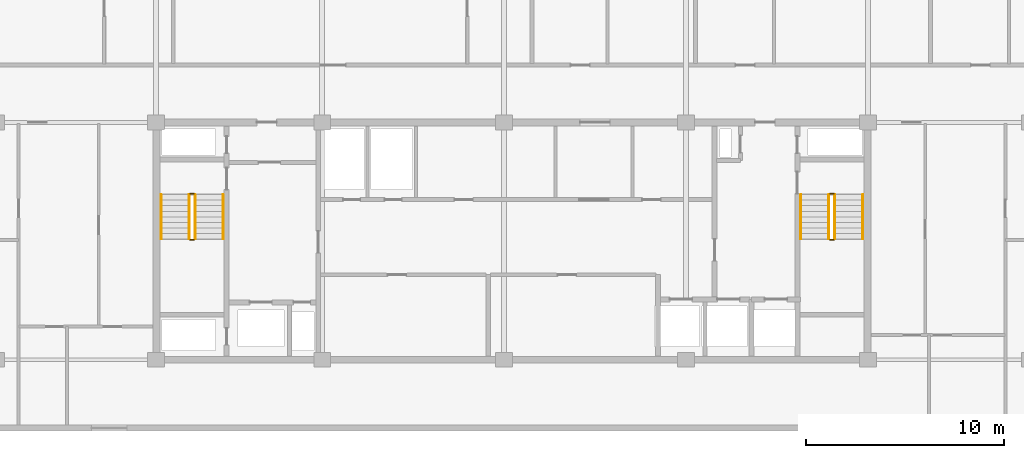
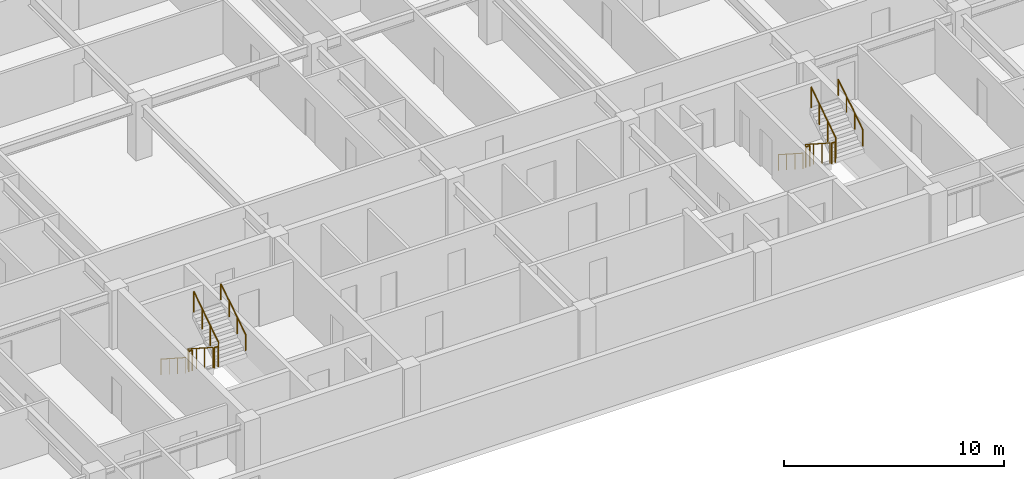
# One storey, part 20 of 21: 12 railings.
"""IFC4 building model written with IfcOpenShell, lengths in metres."""

import ifcopenshell
import ifcopenshell.guid

model = None  # the IFC model being written
_history = None  # IfcOwnerHistory: only IFC2X3 demands one
_inside = {}  # id of a spatial element -> (the spatial element, [elements in it])
_under = {}  # id of a project, library or spatial element -> (it, [spatial elements below it])
_declared = {}  # id of a project -> (the project, [libraries it declares])
_typed = {}  # id of a type object -> (the type object, [elements of that type])
_made_of = {}  # id of a material, layer set ... -> (it, [elements and type objects made of it])


def new_model(schema):
    """Start an empty IFC model of exactly this schema.

    Asked for "IFC4X3", IfcOpenShell would pick the latest addendum, in which some entities
    have other attributes; the version numbers below select the first issue.
    IFC2X3 requires an IfcOwnerHistory on every rooted entity: one is made here for all.
    """
    global model, _history
    if schema == "IFC4X3":
        model = ifcopenshell.file(schema_version=(4, 3, 0, 0))
    else:
        model = ifcopenshell.file(schema=schema)
    _inside.clear()
    _under.clear()
    _declared.clear()
    _typed.clear()
    _made_of.clear()
    _history = None
    if model.schema == "IFC2X3":
        org = make("IfcOrganization", Name="unknown")
        user = make(
            "IfcPersonAndOrganization",
            ThePerson=make("IfcPerson", FamilyName="unknown"),
            TheOrganization=org,
        )
        app = make(
            "IfcApplication",
            ApplicationDeveloper=org,
            Version="unknown",
            ApplicationFullName="unknown",
            ApplicationIdentifier="unknown",
        )
        _history = make(
            "IfcOwnerHistory",
            OwningUser=user,
            OwningApplication=app,
            ChangeAction="ADDED",
            CreationDate=0,
        )
    return model


def make(cls, **values):
    """One entity of the class cls with the attributes given. An attribute that is None is left unset."""
    return model.create_entity(
        cls, **{name: value for name, value in values.items() if value is not None}
    )


def rooted(cls, **values):
    """An entity with a GlobalId (a new one), such as an element, a storey or a relation."""
    return make(cls, GlobalId=ifcopenshell.guid.new(), OwnerHistory=_history, **values)


def si_unit(unit_type, name, prefix=None):
    """IfcSIUnit, for example si_unit("LENGTHUNIT", "METRE", prefix="MILLI")."""
    return make("IfcSIUnit", UnitType=unit_type, Prefix=prefix, Name=name)


def assignment(units):
    """IfcUnitAssignment: the units of a project."""
    return None if units is None else make("IfcUnitAssignment", Units=units)


def point(xyz):
    """IfcCartesianPoint."""
    return None if xyz is None else make("IfcCartesianPoint", Coordinates=xyz)


def direction(xyz):
    """IfcDirection."""
    return None if xyz is None else make("IfcDirection", DirectionRatios=xyz)


def frame(location, z_axis=None, x_axis=None):
    """IfcAxis2Placement3D, a coordinate frame: its origin and axes. An axis left out is left unset."""
    return make(
        "IfcAxis2Placement3D",
        Location=point(location),
        Axis=direction(z_axis),
        RefDirection=direction(x_axis),
    )


def frame_2d(location, x_axis=None):
    """IfcAxis2Placement2D, a coordinate frame in the plane: its origin and x axis."""
    return make(
        "IfcAxis2Placement2D", Location=point(location), RefDirection=direction(x_axis)
    )


def origin():
    """The frame at (0, 0, 0) with its axes left unset."""
    return frame((0.0, 0.0, 0.0))


def origin_2d():
    """The frame at (0, 0) in the plane with its x axis left unset."""
    return frame_2d((0.0, 0.0))


def place(relative_to, where):
    """IfcLocalPlacement: puts the frame where relative to a parent placement (None: the world)."""
    return make(
        "IfcLocalPlacement", PlacementRelTo=relative_to, RelativePlacement=where
    )


def context(
    kind, dimensions, precision=None, world=None, true_north=None, identifier=None
):
    """IfcGeometricRepresentationContext, for example the 3D "Model" context."""
    return make(
        "IfcGeometricRepresentationContext",
        ContextIdentifier=identifier,
        ContextType=kind,
        CoordinateSpaceDimension=dimensions,
        Precision=precision,
        WorldCoordinateSystem=world,
        TrueNorth=true_north,
    )


def subcontext(parent, identifier, kind, view, scale=None):
    """IfcGeometricRepresentationSubContext, for example "Body" below "Model"."""
    return make(
        "IfcGeometricRepresentationSubContext",
        ContextIdentifier=identifier,
        ContextType=kind,
        ParentContext=parent,
        TargetScale=scale,
        TargetView=view,
    )


def project(units=None, contexts=None):
    """IfcProject with its units and contexts."""
    return rooted(
        "IfcProject",
        Name="project",
        RepresentationContexts=contexts,
        UnitsInContext=assignment(units),
    )


def spatial(cls, under=None, at=None, **own):
    """A site, building, storey or space (cls), placed at a placement, below another one or the project."""
    s = rooted(cls, ObjectPlacement=at, **own)
    if under is not None:
        _under.setdefault(under.id(), (under, []))[1].append(s)
    return s


def profile(cls, at=None, kind="AREA", **sizes):
    """A parametric profile (cls). Its sizes go by their IFC names, for example OverallWidth=200.0."""
    return make(cls, ProfileType=kind, Position=at, **sizes)


def circle(**sizes):
    """IfcCircleProfileDef."""
    return profile("IfcCircleProfileDef", **sizes)


def extrude(swept, where, along, depth):
    """IfcExtrudedAreaSolid: the profile swept, set in the frame where, extruded along a direction by depth."""
    return make(
        "IfcExtrudedAreaSolid",
        SweptArea=swept,
        Position=where,
        ExtrudedDirection=direction(along),
        Depth=depth,
    )


def shape(context_of_items, identifier, shape_type, items):
    """IfcShapeRepresentation: the items that make up one representation, for example the "Body"."""
    return make(
        "IfcShapeRepresentation",
        ContextOfItems=context_of_items,
        RepresentationIdentifier=identifier,
        RepresentationType=shape_type,
        Items=items,
    )


def material(Name=None, Category=None):
    """IfcMaterial."""
    return make("IfcMaterial", Name=Name, Category=Category)


def made_of(thing, what):
    """Note that an element or type object is made of a material, layer set ...; save() writes the relation."""
    if what is not None:
        _made_of.setdefault(what.id(), (what, []))[1].append(thing)
    return thing


def type_object(cls, material=None, **own):
    """A type object (cls), such as IfcWallType, which elements share."""
    return made_of(rooted(cls, **own), material)


def element(
    cls,
    number,
    at=None,
    inside=None,
    cuts=None,
    type_object=None,
    material=None,
    context=None,
    identifier="Body",
    shape_type=None,
    held_by="IfcProductDefinitionShape",
    body=None,
    shapes=None,
    **own,
):
    """One element of the class cls, such as IfcWall. Its Tag is "e" and its number.

    at: its placement. inside: the storey or other place that contains it. cuts: it is an
    opening in that element (IfcRelVoidsElement). A single representation is given by context,
    identifier, shape_type and body (its items); several are given by shapes. held_by: the class
    of the entity that holds the representations. save() writes the other relations.
    """
    e = rooted(cls, Tag="e%d" % number, ObjectPlacement=at, **own)
    if body is not None:
        shapes = [shape(context, identifier, shape_type, body)]
    if shapes is not None:
        e.Representation = make(held_by, Representations=shapes)
    if inside is not None:
        _inside.setdefault(inside.id(), (inside, []))[1].append(e)
    if cuts is not None:
        rooted(
            "IfcRelVoidsElement", RelatingBuildingElement=cuts, RelatedOpeningElement=e
        )
    if type_object is not None:
        _typed.setdefault(type_object.id(), (type_object, []))[1].append(e)
    return made_of(e, material)


def aggregate(whole, parts):
    """IfcRelAggregates: a whole, such as a stair, and the parts it consists of."""
    return rooted("IfcRelAggregates", RelatingObject=whole, RelatedObjects=parts)


def save(model, path):
    """Write the relations noted so far, then the file.

    IfcRelAggregates (storeys below a building ...), IfcRelContainedInSpatialStructure (elements
    in a storey), IfcRelDefinesByType, IfcRelAssociatesMaterial and IfcRelDeclares: one each for
    every whole, place, type object, material and project.
    """
    for whole, parts in _under.values():
        aggregate(whole, parts)
    for where, things in _inside.values():
        rooted(
            "IfcRelContainedInSpatialStructure",
            RelatedElements=things,
            RelatingStructure=where,
        )
    for kind, things in _typed.values():
        rooted("IfcRelDefinesByType", RelatedObjects=things, RelatingType=kind)
    for what, things in _made_of.values():
        rooted("IfcRelAssociatesMaterial", RelatedObjects=things, RelatingMaterial=what)
    for by, libraries in _declared.values():
        rooted("IfcRelDeclares", RelatingContext=by, RelatedDefinitions=libraries)
    model.write(path)


model = new_model("IFC4")

# Units and contexts
model_context = context("Model", 3, precision=1e-05, world=origin(), true_north=direction((0.0, 1.0)))
body_context = subcontext(model_context, "Body", "Model", "MODEL_VIEW")
ifc_project = project(units=[si_unit("LENGTHUNIT", "METRE"), si_unit("AREAUNIT", "SQUARE_METRE"), si_unit("VOLUMEUNIT", "CUBIC_METRE"), si_unit("PLANEANGLEUNIT", "RADIAN"), si_unit("MASSUNIT", "GRAM", prefix="KILO")], contexts=[model_context])

# Site, building, storey
site_placement = place(None, origin())
site = spatial("IfcSite", under=ifc_project, at=site_placement, CompositionType="ELEMENT")
building_placement = place(site_placement, origin())
building = spatial("IfcBuilding", under=site, at=building_placement, Name="Korimba Cascade Residences", CompositionType="ELEMENT")
storey_placement = place(building_placement, frame((0.0, 0.0, 188.10009765625)))
storey = spatial("IfcBuildingStorey", under=building, at=storey_placement, Name="L54", CompositionType="ELEMENT", Elevation=188.10009765625)

# Railings
ifc_material_1 = material(Name="Painted Steel Stairwell Guardrail", Category="steel")
railing_type_1 = type_object("IfcRailingType", Name="RLG-ST-GD1150", PredefinedType="GUARDRAIL", material=ifc_material_1)
railing_1_placement = place(storey_placement, frame((77.77001953125, 63.550048828125, 0.180419921875)))
element("IfcRailing", 1, at=railing_1_placement, inside=storey, type_object=railing_type_1, Name="L54 ST-W1 stair guard 1", PredefinedType="GUARDRAIL", context=body_context, shape_type="SweptSolid", body=[
    extrude(circle(Radius=0.02392578125, at=origin_2d()), frame((0.0, 0.0, 1.1259765625), z_axis=(0.0, -0.840394893359, 0.541974559565), x_axis=(1.0, 0.0, 0.0)), (0.0, 0.0, 1.0), 2.665283203125),
    extrude(circle(Radius=0.02099609375, at=origin_2d()), origin(), (0.0, 0.0, 1.0), 1.101806640625),
    extrude(circle(Radius=0.02099609375, at=origin_2d()), frame((0.0, -0.74658203125, 0.4814453125)), (0.0, 0.0, 1.0), 1.101806640625),
    extrude(circle(Radius=0.02099609375, at=origin_2d()), frame((0.0, -1.493408203125, 0.963134765625)), (0.0, 0.0, 1.0), 1.101806640625),
    extrude(circle(Radius=0.02099609375, at=origin_2d()), frame((0.0, -2.239990234375, 1.444580078125)), (0.0, 0.0, 1.0), 1.101806640625),
])
railing_2_placement = place(storey_placement, frame((77.820068359375, 61.260009765625, 1.625)))
element("IfcRailing", 2, at=railing_2_placement, inside=storey, type_object=railing_type_1, Name="L54 ST-W1 stair guard 2", PredefinedType="GUARDRAIL", context=body_context, shape_type="SweptSolid", body=[
    extrude(circle(Radius=0.02392578125, at=origin_2d()), frame((0.0, 0.0, 1.1259765625), z_axis=(1.0, 0.0, 0.0), x_axis=(0.0, 1.0, 0.0)), (0.0, 0.0, 1.0), 0.199951171875),
    extrude(circle(Radius=0.02099609375, at=origin_2d()), origin(), (0.0, 0.0, 1.0), 1.101806640625),
    extrude(circle(Radius=0.02099609375, at=origin_2d()), frame((0.199951171875, 0.0, 0.0)), (0.0, 0.0, 1.0), 1.101806640625),
])
railing_3_placement = place(storey_placement, frame((78.070068359375, 61.31005859375, 1.805419921875)))
element("IfcRailing", 3, at=railing_3_placement, inside=storey, type_object=railing_type_1, Name="L54 ST-W1 stair guard 3", PredefinedType="GUARDRAIL", context=body_context, shape_type="SweptSolid", body=[
    extrude(circle(Radius=0.02392578125, at=origin_2d()), frame((0.0, 0.0, 1.1259765625), z_axis=(0.0, 0.840394893359, 0.541974559565), x_axis=(-1.0, 0.0, 0.0)), (0.0, 0.0, 1.0), 2.665283203125),
    extrude(circle(Radius=0.02099609375, at=origin_2d()), origin(), (0.0, 0.0, 1.0), 1.101806640625),
    extrude(circle(Radius=0.02099609375, at=origin_2d()), frame((0.0, 0.74658203125, 0.4814453125)), (0.0, 0.0, 1.0), 1.101806640625),
    extrude(circle(Radius=0.02099609375, at=origin_2d()), frame((0.0, 1.493408203125, 0.963134765625)), (0.0, 0.0, 1.0), 1.101806640625),
    extrude(circle(Radius=0.02099609375, at=origin_2d()), frame((0.0, 2.239990234375, 1.444580078125)), (0.0, 0.0, 1.0), 1.101806640625),
])
railing_4_placement = place(storey_placement, frame((77.820068359375, 63.60009765625, 0.0)))
element("IfcRailing", 4, at=railing_4_placement, inside=storey, type_object=railing_type_1, Name="L54 ST-W1 stair guard 4", PredefinedType="GUARDRAIL", context=body_context, shape_type="SweptSolid", body=[
    extrude(circle(Radius=0.02392578125, at=origin_2d()), frame((0.0, 0.0, 1.1259765625), z_axis=(1.0, 0.0, 0.0), x_axis=(0.0, 1.0, 0.0)), (0.0, 0.0, 1.0), 0.199951171875),
    extrude(circle(Radius=0.02099609375, at=origin_2d()), origin(), (0.0, 0.0, 1.0), 1.101806640625),
    extrude(circle(Radius=0.02099609375, at=origin_2d()), frame((0.199951171875, 0.0, 0.0)), (0.0, 0.0, 1.0), 1.101806640625),
])
railing_5_placement = place(storey_placement, frame((110.1298828125, 63.550048828125, 0.180419921875)))
element("IfcRailing", 5, at=railing_5_placement, inside=storey, type_object=railing_type_1, Name="L54 ST-W2 stair guard 1", PredefinedType="GUARDRAIL", context=body_context, shape_type="SweptSolid", body=[
    extrude(circle(Radius=0.02392578125, at=origin_2d()), frame((0.0, 0.0, 1.1259765625), z_axis=(0.0, -0.840394893359, 0.541974559565), x_axis=(1.0, 0.0, 0.0)), (0.0, 0.0, 1.0), 2.665283203125),
    extrude(circle(Radius=0.02099609375, at=origin_2d()), origin(), (0.0, 0.0, 1.0), 1.101806640625),
    extrude(circle(Radius=0.02099609375, at=origin_2d()), frame((0.0, -0.74658203125, 0.4814453125)), (0.0, 0.0, 1.0), 1.101806640625),
    extrude(circle(Radius=0.02099609375, at=origin_2d()), frame((0.0, -1.493408203125, 0.963134765625)), (0.0, 0.0, 1.0), 1.101806640625),
    extrude(circle(Radius=0.02099609375, at=origin_2d()), frame((0.0, -2.239990234375, 1.444580078125)), (0.0, 0.0, 1.0), 1.101806640625),
])
railing_6_placement = place(storey_placement, frame((110.179931640625, 61.260009765625, 1.625)))
element("IfcRailing", 6, at=railing_6_placement, inside=storey, type_object=railing_type_1, Name="L54 ST-W2 stair guard 2", PredefinedType="GUARDRAIL", context=body_context, shape_type="SweptSolid", body=[
    extrude(circle(Radius=0.02392578125, at=origin_2d()), frame((0.0, 0.0, 1.1259765625), z_axis=(1.0, 0.0, 0.0), x_axis=(0.0, 1.0, 0.0)), (0.0, 0.0, 1.0), 0.199951171875),
    extrude(circle(Radius=0.02099609375, at=origin_2d()), origin(), (0.0, 0.0, 1.0), 1.101806640625),
    extrude(circle(Radius=0.02099609375, at=origin_2d()), frame((0.199951171875, 0.0, 0.0)), (0.0, 0.0, 1.0), 1.101806640625),
])
railing_7_placement = place(storey_placement, frame((110.429931640625, 61.31005859375, 1.805419921875)))
element("IfcRailing", 7, at=railing_7_placement, inside=storey, type_object=railing_type_1, Name="L54 ST-W2 stair guard 3", PredefinedType="GUARDRAIL", context=body_context, shape_type="SweptSolid", body=[
    extrude(circle(Radius=0.02392578125, at=origin_2d()), frame((0.0, 0.0, 1.1259765625), z_axis=(0.0, 0.840394893359, 0.541974559565), x_axis=(-1.0, 0.0, 0.0)), (0.0, 0.0, 1.0), 2.665283203125),
    extrude(circle(Radius=0.02099609375, at=origin_2d()), origin(), (0.0, 0.0, 1.0), 1.101806640625),
    extrude(circle(Radius=0.02099609375, at=origin_2d()), frame((0.0, 0.74658203125, 0.4814453125)), (0.0, 0.0, 1.0), 1.101806640625),
    extrude(circle(Radius=0.02099609375, at=origin_2d()), frame((0.0, 1.493408203125, 0.963134765625)), (0.0, 0.0, 1.0), 1.101806640625),
    extrude(circle(Radius=0.02099609375, at=origin_2d()), frame((0.0, 2.239990234375, 1.444580078125)), (0.0, 0.0, 1.0), 1.101806640625),
])
railing_8_placement = place(storey_placement, frame((110.179931640625, 63.60009765625, 0.0)))
element("IfcRailing", 8, at=railing_8_placement, inside=storey, type_object=railing_type_1, Name="L54 ST-W2 stair guard 4", PredefinedType="GUARDRAIL", context=body_context, shape_type="SweptSolid", body=[
    extrude(circle(Radius=0.02392578125, at=origin_2d()), frame((0.0, 0.0, 1.1259765625), z_axis=(1.0, 0.0, 0.0), x_axis=(0.0, 1.0, 0.0)), (0.0, 0.0, 1.0), 0.199951171875),
    extrude(circle(Radius=0.02099609375, at=origin_2d()), origin(), (0.0, 0.0, 1.0), 1.101806640625),
    extrude(circle(Radius=0.02099609375, at=origin_2d()), frame((0.199951171875, 0.0, 0.0)), (0.0, 0.0, 1.0), 1.101806640625),
])
ifc_material_2 = material(Name="Brushed Stainless Steel Handrail", Category="steel")
railing_type_2 = type_object("IfcRailingType", Name="RLG-ST-HR900", PredefinedType="HANDRAIL", material=ifc_material_2)
railing_9_placement = place(storey_placement, frame((76.35009765625, 63.550048828125, 0.36474609375)))
element("IfcRailing", 9, at=railing_9_placement, inside=storey, type_object=railing_type_2, Name="L54 ST-W1 stair handrail 1", PredefinedType="HANDRAIL", context=body_context, shape_type="SweptSolid", body=[
    extrude(circle(Radius=0.02392578125, at=origin_2d()), frame((0.0, 0.0, 0.8759765625), z_axis=(0.0, -0.840394893359, 0.541974559565), x_axis=(1.0, 0.0, 0.0)), (0.0, 0.0, 1.0), 2.665283203125),
    extrude(circle(Radius=0.02099609375, at=origin_2d()), origin(), (0.0, 0.0, 1.0), 0.851806640625),
    extrude(circle(Radius=0.02099609375, at=origin_2d()), frame((0.0, -0.74658203125, 0.4814453125)), (0.0, 0.0, 1.0), 0.851806640625),
    extrude(circle(Radius=0.02099609375, at=origin_2d()), frame((0.0, -1.493408203125, 0.963134765625)), (0.0, 0.0, 1.0), 0.851806640625),
    extrude(circle(Radius=0.02099609375, at=origin_2d()), frame((0.0, -2.239990234375, 1.444580078125)), (0.0, 0.0, 1.0), 0.851806640625),
])
railing_10_placement = place(storey_placement, frame((79.489990234375, 61.31005859375, 1.98974609375)))
element("IfcRailing", 10, at=railing_10_placement, inside=storey, type_object=railing_type_2, Name="L54 ST-W1 stair handrail 2", PredefinedType="HANDRAIL", context=body_context, shape_type="SweptSolid", body=[
    extrude(circle(Radius=0.02392578125, at=origin_2d()), frame((0.0, 0.0, 0.8759765625), z_axis=(0.0, 0.840394893359, 0.541974559565), x_axis=(-1.0, 0.0, 0.0)), (0.0, 0.0, 1.0), 2.665283203125),
    extrude(circle(Radius=0.02099609375, at=origin_2d()), origin(), (0.0, 0.0, 1.0), 0.851806640625),
    extrude(circle(Radius=0.02099609375, at=origin_2d()), frame((0.0, 0.74658203125, 0.4814453125)), (0.0, 0.0, 1.0), 0.851806640625),
    extrude(circle(Radius=0.02099609375, at=origin_2d()), frame((0.0, 1.493408203125, 0.963134765625)), (0.0, 0.0, 1.0), 0.851806640625),
    extrude(circle(Radius=0.02099609375, at=origin_2d()), frame((0.0, 2.239990234375, 1.444580078125)), (0.0, 0.0, 1.0), 0.851806640625),
])
railing_11_placement = place(storey_placement, frame((108.7099609375, 63.550048828125, 0.36474609375)))
element("IfcRailing", 11, at=railing_11_placement, inside=storey, type_object=railing_type_2, Name="L54 ST-W2 stair handrail 1", PredefinedType="HANDRAIL", context=body_context, shape_type="SweptSolid", body=[
    extrude(circle(Radius=0.02392578125, at=origin_2d()), frame((0.0, 0.0, 0.8759765625), z_axis=(0.0, -0.840394893359, 0.541974559565), x_axis=(1.0, 0.0, 0.0)), (0.0, 0.0, 1.0), 2.665283203125),
    extrude(circle(Radius=0.02099609375, at=origin_2d()), origin(), (0.0, 0.0, 1.0), 0.851806640625),
    extrude(circle(Radius=0.02099609375, at=origin_2d()), frame((0.0, -0.74658203125, 0.4814453125)), (0.0, 0.0, 1.0), 0.851806640625),
    extrude(circle(Radius=0.02099609375, at=origin_2d()), frame((0.0, -1.493408203125, 0.963134765625)), (0.0, 0.0, 1.0), 0.851806640625),
    extrude(circle(Radius=0.02099609375, at=origin_2d()), frame((0.0, -2.239990234375, 1.444580078125)), (0.0, 0.0, 1.0), 0.851806640625),
])
railing_12_placement = place(storey_placement, frame((111.85009765625, 61.31005859375, 1.98974609375)))
element("IfcRailing", 12, at=railing_12_placement, inside=storey, type_object=railing_type_2, Name="L54 ST-W2 stair handrail 2", PredefinedType="HANDRAIL", context=body_context, shape_type="SweptSolid", body=[
    extrude(circle(Radius=0.02392578125, at=origin_2d()), frame((0.0, 0.0, 0.8759765625), z_axis=(0.0, 0.840394893359, 0.541974559565), x_axis=(-1.0, 0.0, 0.0)), (0.0, 0.0, 1.0), 2.665283203125),
    extrude(circle(Radius=0.02099609375, at=origin_2d()), origin(), (0.0, 0.0, 1.0), 0.851806640625),
    extrude(circle(Radius=0.02099609375, at=origin_2d()), frame((0.0, 0.74658203125, 0.4814453125)), (0.0, 0.0, 1.0), 0.851806640625),
    extrude(circle(Radius=0.02099609375, at=origin_2d()), frame((0.0, 1.493408203125, 0.963134765625)), (0.0, 0.0, 1.0), 0.851806640625),
    extrude(circle(Radius=0.02099609375, at=origin_2d()), frame((0.0, 2.239990234375, 1.444580078125)), (0.0, 0.0, 1.0), 0.851806640625),
])

save(model, "model.ifc")
